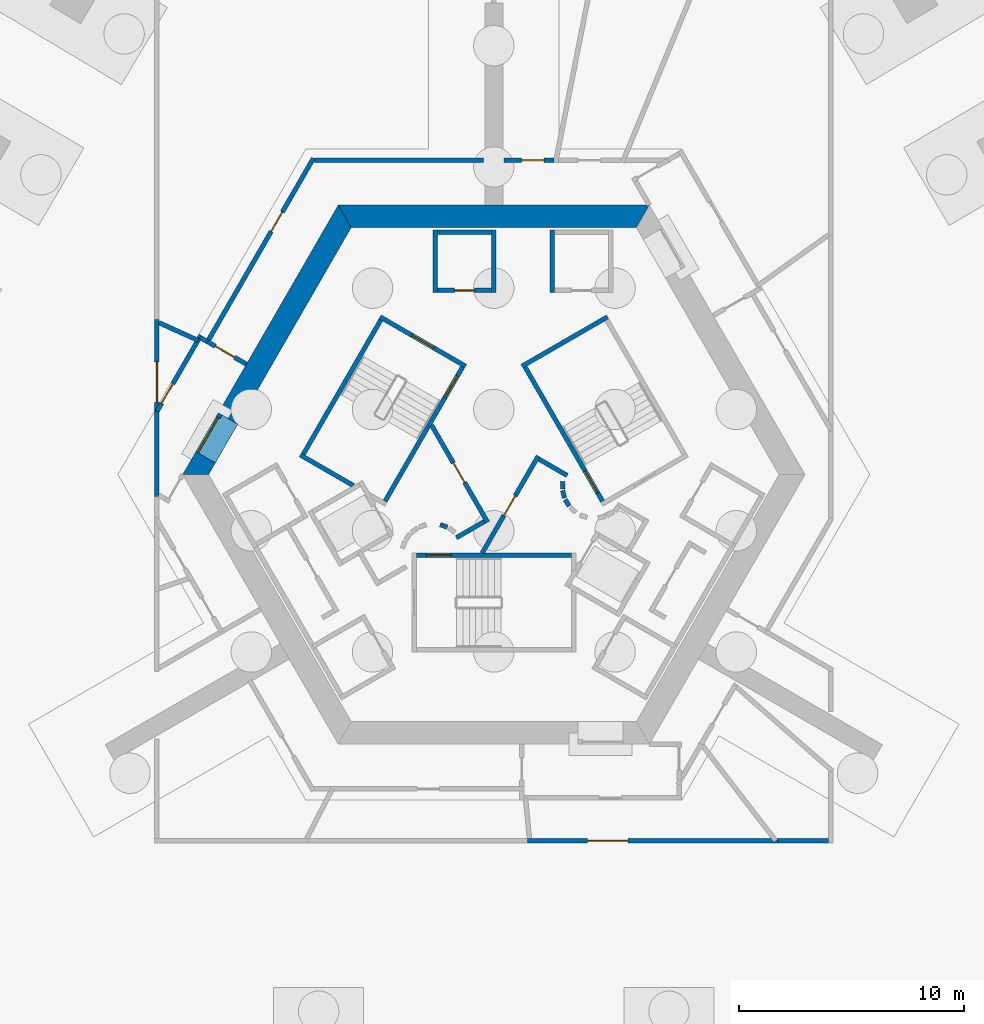
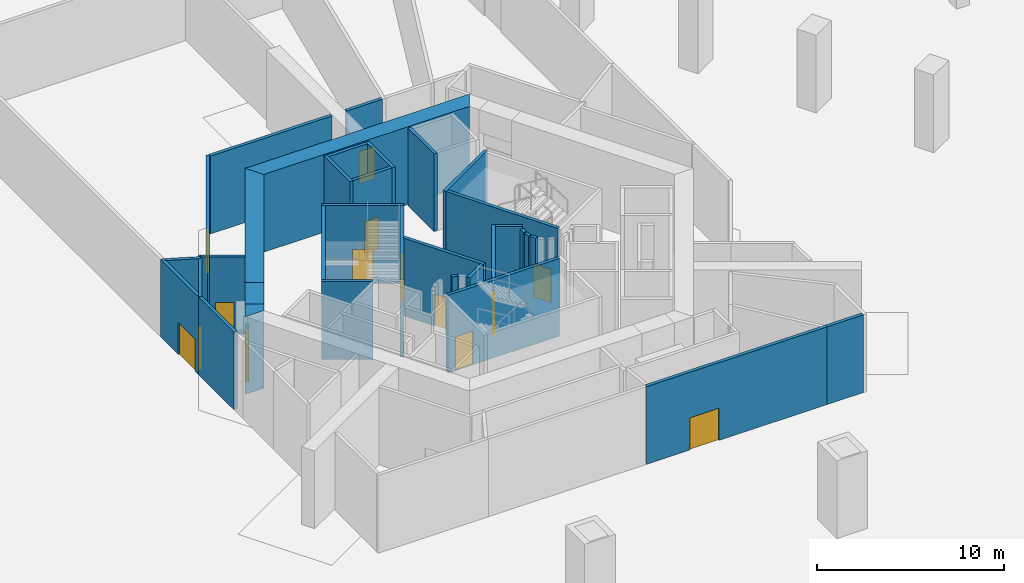
# One storey, part 6 of 14: 36 walls, 14 doors, 14 openings.
"""IFC4 building model written with IfcOpenShell, lengths in metres."""

from ifc_helpers import new_model, si_unit, direction, frame, frame_2d, origin, place, context, subcontext, project, spatial, polyline, rectangle, outline, extrude, material, layer, layer_set, type_object, element, fill, save


model = new_model("IFC4")

# Units and contexts
model_context = context("Model", 3, precision=1e-05, world=origin(), true_north=direction((0.0, 1.0)))
body_context = subcontext(model_context, "Body", "Model", "MODEL_VIEW")
ifc_project = project(units=[si_unit("LENGTHUNIT", "METRE"), si_unit("AREAUNIT", "SQUARE_METRE"), si_unit("VOLUMEUNIT", "CUBIC_METRE"), si_unit("PLANEANGLEUNIT", "RADIAN"), si_unit("MASSUNIT", "GRAM", prefix="KILO")], contexts=[model_context])

# Site, building, storey
site_placement = place(None, origin())
site = spatial("IfcSite", under=ifc_project, at=site_placement, CompositionType="ELEMENT")
building_placement = place(site_placement, origin())
building = spatial("IfcBuilding", under=site, at=building_placement, Name="Entoto Arch Interchange Tower", CompositionType="ELEMENT")
storey_placement = place(building_placement, frame((0.0, 0.0, -16.5)))
storey = spatial("IfcBuildingStorey", under=building, at=storey_placement, Name="B3", CompositionType="ELEMENT", Elevation=-16.5)

# Wall, opening, door
ifc_material_1 = material(Name="Reinforced concrete C40/50", Category="concrete")
ifc_layer_1 = layer(ifc_material_1, 0.199951171875)
ifc_layer_set_1 = layer_set([ifc_layer_1], Name="Reinforced concrete C40/50")
wall_type_1 = type_object("IfcWallType", Name="CORE GAP INFILL WALL", PredefinedType="PARTITIONING", material=ifc_layer_set_1)
wall_1_placement = place(storey_placement, frame((-12.179931640625, 5.201904296875, 0.0), z_axis=(0.0, 0.0, 1.0), x_axis=(-0.50002537861, -0.866010750942, 0.0)))
wall_1 = element("IfcWall", 1, at=wall_1_placement, inside=storey, type_object=wall_type_1, Name="wall:B3:gap3", PredefinedType="PARTITIONING", context=body_context, shape_type="SweptSolid", body=[
    extrude(rectangle(XDim=2.0, YDim=0.199951171875, at=frame_2d((1.0, 0.0))), origin(), (0.0, 0.0, 1.0), 2.39990234375),
])
opening_1_placement = place(wall_1_placement, frame((0.18994140625, 0.0, 0.0)))
opening_1 = element("IfcOpeningElement", 2, at=opening_1_placement, cuts=wall_1, Name="Opening B3-D93", PredefinedType="OPENING", context=body_context, shape_type="SweptSolid", body=[
    extrude(rectangle(XDim=1.800048828125, YDim=2.10009765625, at=frame_2d((0.89990234375, 1.050048828125))), frame((0.0, 0.10986328125, 0.0), z_axis=(0.0, -1.0, 0.0), x_axis=(1.0, 0.0, 0.0)), (0.0, 0.0, 1.0), 0.219970703125),
])
ifc_material_2 = material(Name="Fire-rated Steel S235 door and frame", Category="steel")
door_type_1 = type_object("IfcDoorType", Name="DOOR FD-18 1800x2100", OperationType="DOUBLE_DOOR_SINGLE_SWING", PredefinedType="DOOR", material=ifc_material_2)
door_1_placement = place(opening_1_placement, origin())
door_1 = element("IfcDoor", 3, at=door_1_placement, inside=storey, type_object=door_type_1, Name="door:B3:gap3", OperationType="DOUBLE_DOOR_SINGLE_SWING", OverallHeight=2.10009765625, OverallWidth=1.800048828125, PredefinedType="DOOR", context=body_context, shape_type="SweptSolid", body=[
    extrude(rectangle(XDim=1.800048828125, YDim=2.10009765625, at=frame_2d((0.89990234375, 1.050048828125))), frame((0.0, 0.02490234375, 0.0), z_axis=(0.0, -1.0, 0.0), x_axis=(1.0, 0.0, 0.0)), (0.0, 0.0, 1.0), 0.050048828125),
])
fill(opening_1, door_1)

# Walls
ifc_material_3 = material(Name="Concrete C60/75", Category="concrete")
ifc_layer_2 = layer(ifc_material_3, 1.0)
ifc_layer_set_2 = layer_set([ifc_layer_2], Name="Concrete C60/75")
wall_type_2 = type_object("IfcWallType", Name="Core wall 1000 C60/75", PredefinedType="SHEAR", material=ifc_layer_set_2)
wall_2_placement = place(storey_placement, origin())
element("IfcWall", 4, at=wall_2_placement, inside=storey, type_object=wall_type_2, Name="Core wall N B3", PredefinedType="SHEAR", context=body_context, shape_type="SweptSolid", body=[
    extrude(outline(polyline([(6.927978515625, 14.5), (-6.927978515625, 14.5), (-6.35107421875, 13.5), (6.35107421875, 13.5), (6.927978515625, 14.5)])), origin(), (0.0, 0.0, 1.0), 5.080078125),
])
wall_3_placement = place(storey_placement, origin())
element("IfcWall", 5, at=wall_3_placement, inside=storey, type_object=wall_type_2, Name="Core wall NW B3", PredefinedType="SHEAR", context=body_context, shape_type="SweptSolid", body=[
    extrude(outline(polyline([(-12.26708984375, 5.251953125), (-11.402099609375, 4.751953125), (-6.35107421875, 13.5), (-6.927978515625, 14.5), (-12.26708984375, 5.251953125)])), origin(), (0.0, 0.0, 1.0), 5.080078125),
])
wall_4_placement = place(storey_placement, origin())
element("IfcWall", 6, at=wall_4_placement, inside=storey, type_object=wall_type_2, Name="Core wall NW B3", PredefinedType="SHEAR", context=body_context, shape_type="SweptSolid", body=[
    extrude(outline(polyline([(-12.402099609375, 3.02001953125), (-13.26708984375, 3.52001953125), (-13.85595703125, 2.5), (-12.701904296875, 2.5), (-12.402099609375, 3.02001953125)])), origin(), (0.0, 0.0, 1.0), 5.080078125),
])
wall_5_placement = place(storey_placement, frame((0.0, 0.0, 3.60009765625)))
element("IfcWall", 7, at=wall_5_placement, inside=storey, type_object=wall_type_2, Name="Core wall lintel NW B3", PredefinedType="SHEAR", context=body_context, shape_type="SweptSolid", body=[
    extrude(outline(polyline([(-13.26708984375, 3.52001953125), (-12.402099609375, 3.02001953125), (-11.402099609375, 4.751953125), (-12.26708984375, 5.251953125), (-13.26708984375, 3.52001953125)])), origin(), (0.0, 0.0, 1.0), 1.47998046875),
])

# Wall, opening, door
ifc_material_4 = material(Name="Gypsum board partition on steel studs", Category="steel")
ifc_layer_3 = layer(ifc_material_4, 0.199951171875)
ifc_layer_set_3 = layer_set([ifc_layer_3], Name="Gypsum board partition on steel studs")
wall_type_3 = type_object("IfcWallType", Name="PARTITION 200", PredefinedType="PARTITIONING", material=ifc_layer_set_3)
wall_6_placement = place(storey_placement, frame((12.65087890625, -13.800048828125, 0.0), z_axis=(0.0, 0.0, 1.0), x_axis=(-1.0, 0.0, 0.0)))
wall_6 = element("IfcWall", 8, at=wall_6_placement, inside=storey, type_object=wall_type_3, Name="wall:B3:p016", PredefinedType="PARTITIONING", context=body_context, shape_type="SweptSolid", body=[
    extrude(rectangle(XDim=11.15380859375, YDim=0.199951171875, at=frame_2d((5.576904296875, 0.0))), origin(), (0.0, 0.0, 1.0), 5.080078125),
])
opening_2_placement = place(wall_6_placement, frame((6.675048828125, 0.0, 0.0)))
opening_2 = element("IfcOpeningElement", 9, at=opening_2_placement, cuts=wall_6, Name="Opening B3-D20", PredefinedType="OPENING", context=body_context, shape_type="SweptSolid", body=[
    extrude(rectangle(XDim=1.800048828125, YDim=2.10009765625, at=frame_2d((0.89990234375, 1.050048828125))), frame((0.0, 0.10986328125, 0.0), z_axis=(0.0, -1.0, 0.0), x_axis=(1.0, 0.0, 0.0)), (0.0, 0.0, 1.0), 0.219970703125),
])
ifc_material_5 = material(Name="Timber door leaf in Steel S235 frame", Category="steel")
door_type_2 = type_object("IfcDoorType", Name="DOOR DD-18 1800x2100", OperationType="DOUBLE_DOOR_SINGLE_SWING", PredefinedType="DOOR", material=ifc_material_5)
door_2_placement = place(opening_2_placement, origin())
door_2 = element("IfcDoor", 10, at=door_2_placement, inside=storey, type_object=door_type_2, Name="door:B3:20", OperationType="DOUBLE_DOOR_SINGLE_SWING", OverallHeight=2.10009765625, OverallWidth=1.800048828125, PredefinedType="DOOR", context=body_context, shape_type="SweptSolid", body=[
    extrude(rectangle(XDim=1.800048828125, YDim=2.10009765625, at=frame_2d((0.89990234375, 1.050048828125))), frame((0.0, 0.02490234375, 0.0), z_axis=(0.0, -1.0, 0.0), x_axis=(1.0, 0.0, 0.0)), (0.0, 0.0, 1.0), 0.050048828125),
])
fill(opening_2, door_2)

# Wall
wall_7_placement = place(storey_placement, frame((14.89990234375, -13.800048828125, 0.0), z_axis=(0.0, 0.0, 1.0), x_axis=(-1.0, 0.0, 0.0)))
element("IfcWall", 11, at=wall_7_placement, inside=storey, type_object=wall_type_3, Name="wall:B3:p022", PredefinedType="PARTITIONING", context=body_context, shape_type="SweptSolid", body=[
    extrude(rectangle(XDim=2.2490234375, YDim=0.199951171875, at=frame_2d((1.12451171875, 0.0))), origin(), (0.0, 0.0, 1.0), 5.080078125),
])

# Wall, opening, door
wall_8_placement = place(storey_placement, frame((0.449951171875, 16.5, 0.0), z_axis=(0.0, 0.0, 1.0), x_axis=(1.0, 0.0, 0.0)))
wall_8 = element("IfcWall", 12, at=wall_8_placement, inside=storey, type_object=wall_type_3, Name="wall:B3:p039", PredefinedType="PARTITIONING", context=body_context, shape_type="SweptSolid", body=[
    extrude(rectangle(XDim=2.22216796875, YDim=0.199951171875, at=frame_2d((1.111083984375, 0.0))), origin(), (0.0, 0.0, 1.0), 5.080078125),
])
opening_3_placement = place(wall_8_placement, frame((0.7919921875, 0.0, 0.0)))
opening_3 = element("IfcOpeningElement", 13, at=opening_3_placement, cuts=wall_8, Name="Opening B3-D12", PredefinedType="OPENING", context=body_context, shape_type="SweptSolid", body=[
    extrude(rectangle(XDim=1.0, YDim=2.10009765625, at=frame_2d((0.5, 1.050048828125))), frame((0.0, 0.10986328125, 0.0), z_axis=(0.0, -1.0, 0.0), x_axis=(1.0, 0.0, 0.0)), (0.0, 0.0, 1.0), 0.219970703125),
])
door_type_3 = type_object("IfcDoorType", Name="DOOR FD-10 1000x2100", OperationType="SINGLE_SWING_LEFT", PredefinedType="DOOR", material=ifc_material_2)
door_3_placement = place(opening_3_placement, origin())
door_3 = element("IfcDoor", 14, at=door_3_placement, inside=storey, type_object=door_type_3, Name="door:B3:12", OperationType="SINGLE_SWING_RIGHT", OverallHeight=2.10009765625, OverallWidth=1.0, PredefinedType="DOOR", context=body_context, shape_type="SweptSolid", body=[
    extrude(rectangle(XDim=1.0, YDim=2.10009765625, at=frame_2d((0.5, 1.050048828125))), frame((0.0, 0.02490234375, 0.0), z_axis=(0.0, -1.0, 0.0), x_axis=(1.0, 0.0, 0.0)), (0.0, 0.0, 1.0), 0.050048828125),
])
fill(opening_3, door_3)

wall_9_placement = place(storey_placement, frame((-12.7490234375, 8.4169921875, 0.0), z_axis=(0.0, 0.0, 1.0), x_axis=(0.866010750942, -0.50002537861, 0.0)))
wall_9 = element("IfcWall", 15, at=wall_9_placement, inside=storey, type_object=wall_type_3, Name="wall:B3:p049", PredefinedType="PARTITIONING", context=body_context, shape_type="SweptSolid", body=[
    extrude(rectangle(XDim=2.0, YDim=0.199951171875, at=frame_2d((1.0, 0.0))), origin(), (0.0, 0.0, 1.0), 5.080078125),
])
opening_4_placement = place(wall_9_placement, frame((0.39990234375, 0.0, 0.0)))
opening_4 = element("IfcOpeningElement", 16, at=opening_4_placement, cuts=wall_9, Name="Opening B3-D13", PredefinedType="OPENING", context=body_context, shape_type="SweptSolid", body=[
    extrude(rectangle(XDim=1.0, YDim=2.10009765625, at=frame_2d((0.5, 1.050048828125))), frame((0.0, 0.10986328125, 0.0), z_axis=(0.0, -1.0, 0.0), x_axis=(1.0, 0.0, 0.0)), (0.0, 0.0, 1.0), 0.219970703125),
])
door_4_placement = place(opening_4_placement, origin())
door_4 = element("IfcDoor", 17, at=door_4_placement, inside=storey, type_object=door_type_3, Name="door:B3:13", OperationType="SINGLE_SWING_LEFT", OverallHeight=2.10009765625, OverallWidth=1.0, PredefinedType="DOOR", context=body_context, shape_type="SweptSolid", body=[
    extrude(rectangle(XDim=1.0, YDim=2.10009765625, at=frame_2d((0.5, 1.050048828125))), frame((0.0, 0.02490234375, 0.0), z_axis=(0.0, -1.0, 0.0), x_axis=(1.0, 0.0, 0.0)), (0.0, 0.0, 1.0), 0.050048828125),
])
fill(opening_4, door_4)

wall_10_placement = place(storey_placement, frame((-15.0, 5.318115234375, 0.0), z_axis=(0.0, 0.0, 1.0), x_axis=(0.500034145141, 0.866005689181, 0.0)))
wall_10 = element("IfcWall", 18, at=wall_10_placement, inside=storey, type_object=wall_type_3, Name="wall:B3:p052", PredefinedType="PARTITIONING", context=body_context, shape_type="SweptSolid", body=[
    extrude(rectangle(XDim=3.909912109375, YDim=0.199951171875, at=frame_2d((1.955078125, 0.0))), origin(), (0.0, 0.0, 1.0), 5.080078125),
])
opening_5_placement = place(wall_10_placement, frame((0.41796875, 0.0, 0.0)))
opening_5 = element("IfcOpeningElement", 19, at=opening_5_placement, cuts=wall_10, Name="Opening B3-D15", PredefinedType="OPENING", context=body_context, shape_type="SweptSolid", body=[
    extrude(rectangle(XDim=1.0, YDim=2.10009765625, at=frame_2d((0.5, 1.050048828125))), frame((0.0, 0.10986328125, 0.0), z_axis=(0.0, -1.0, 0.0), x_axis=(1.0, 0.0, 0.0)), (0.0, 0.0, 1.0), 0.219970703125),
])
door_5_placement = place(opening_5_placement, origin())
door_5 = element("IfcDoor", 20, at=door_5_placement, inside=storey, type_object=door_type_3, Name="door:B3:15", OperationType="SINGLE_SWING_LEFT", OverallHeight=2.10009765625, OverallWidth=1.0, PredefinedType="DOOR", context=body_context, shape_type="SweptSolid", body=[
    extrude(rectangle(XDim=1.0, YDim=2.10009765625, at=frame_2d((0.5, 1.050048828125))), frame((0.0, 0.02490234375, 0.0), z_axis=(0.0, -1.0, 0.0), x_axis=(1.0, 0.0, 0.0)), (0.0, 0.0, 1.0), 0.050048828125),
])
fill(opening_5, door_5)

# Walls
wall_11_placement = place(storey_placement, frame((-13.08203125, 8.60888671875, 0.0), z_axis=(0.0, 0.0, 1.0), x_axis=(0.865998573537, -0.500046468473, 0.0)))
element("IfcWall", 21, at=wall_11_placement, inside=storey, type_object=wall_type_3, Name="wall:B3:p053", PredefinedType="PARTITIONING", context=body_context, shape_type="SweptSolid", body=[
    extrude(rectangle(XDim=0.36962890625, YDim=0.199951171875, at=frame_2d((0.184814453125, 0.0))), origin(), (0.0, 0.0, 1.0), 5.080078125),
])
wall_12_placement = place(storey_placement, frame((-15.0, 1.533935546875, 0.0), z_axis=(0.0, 0.0, 1.0), x_axis=(0.0, 1.0, 0.0)))
element("IfcWall", 22, at=wall_12_placement, inside=storey, type_object=wall_type_3, Name="wall:B3:p054", PredefinedType="PARTITIONING", context=body_context, shape_type="SweptSolid", body=[
    extrude(rectangle(XDim=3.7841796875, YDim=0.199951171875, at=frame_2d((1.89208984375, 0.0))), origin(), (0.0, 0.0, 1.0), 5.080078125),
])

# Wall, opening, door
wall_13_placement = place(storey_placement, frame((-12.799072265625, 8.330078125, 0.0), z_axis=(0.0, 0.0, 1.0), x_axis=(0.499923440311, 0.86606960103, 0.0)))
wall_13 = element("IfcWall", 23, at=wall_13_placement, inside=storey, type_object=wall_type_3, Name="wall:B3:p055", PredefinedType="PARTITIONING", context=body_context, shape_type="SweptSolid", body=[
    extrude(rectangle(XDim=9.53369140625, YDim=0.199951171875, at=frame_2d((4.766845703125, 0.0))), origin(), (0.0, 0.0, 1.0), 5.080078125),
])
opening_6_placement = place(wall_13_placement, frame((5.76611328125, 0.0, 0.0)))
opening_6 = element("IfcOpeningElement", 24, at=opening_6_placement, cuts=wall_13, Name="Opening B3-D16", PredefinedType="OPENING", context=body_context, shape_type="SweptSolid", body=[
    extrude(rectangle(XDim=1.0, YDim=2.10009765625, at=frame_2d((0.5, 1.050048828125))), frame((0.0, 0.10986328125, 0.0), z_axis=(0.0, -1.0, 0.0), x_axis=(1.0, 0.0, 0.0)), (0.0, 0.0, 1.0), 0.219970703125),
])
door_6_placement = place(opening_6_placement, origin())
door_6 = element("IfcDoor", 25, at=door_6_placement, inside=storey, type_object=door_type_3, Name="door:B3:16", OperationType="SINGLE_SWING_RIGHT", OverallHeight=2.10009765625, OverallWidth=1.0, PredefinedType="DOOR", context=body_context, shape_type="SweptSolid", body=[
    extrude(rectangle(XDim=1.0, YDim=2.10009765625, at=frame_2d((0.5, 1.050048828125))), frame((0.0, 0.02490234375, 0.0), z_axis=(0.0, -1.0, 0.0), x_axis=(1.0, 0.0, 0.0)), (0.0, 0.0, 1.0), 0.050048828125),
])
fill(opening_6, door_6)

# Walls
wall_14_placement = place(storey_placement, frame((-7.98291015625, 16.5, 0.0), z_axis=(0.0, 0.0, 1.0), x_axis=(1.0, 0.0, 0.0)))
element("IfcWall", 26, at=wall_14_placement, inside=storey, type_object=wall_type_3, Name="wall:B3:p056", PredefinedType="PARTITIONING", context=body_context, shape_type="SweptSolid", body=[
    extrude(rectangle(XDim=7.532958984375, YDim=0.199951171875, at=frame_2d((3.7666015625, 0.0))), origin(), (0.0, 0.0, 1.0), 5.080078125),
])
wall_15_placement = place(storey_placement, frame((-14.908935546875, 9.263916015625, 0.0), z_axis=(0.0, 0.0, 1.0), x_axis=(0.910722060418, -0.41301976789, 0.0)))
element("IfcWall", 27, at=wall_15_placement, inside=storey, type_object=wall_type_3, Name="wall:B3:p061", PredefinedType="PARTITIONING", context=body_context, shape_type="SweptSolid", body=[
    extrude(rectangle(XDim=1.90283203125, YDim=0.199951171875, at=frame_2d((0.951416015625, 0.0))), origin(), (0.0, 0.0, 1.0), 5.080078125),
])

# Wall, opening, door
wall_16_placement = place(storey_placement, frame((-15.0, 5.318115234375, 0.0), z_axis=(0.0, 0.0, 1.0), x_axis=(0.0, 1.0, 0.0)))
wall_16 = element("IfcWall", 28, at=wall_16_placement, inside=storey, type_object=wall_type_3, Name="wall:B3:p062", PredefinedType="PARTITIONING", context=body_context, shape_type="SweptSolid", body=[
    extrude(rectangle(XDim=4.0869140625, YDim=0.199951171875, at=frame_2d((2.04345703125, 0.0))), origin(), (0.0, 0.0, 1.0), 5.080078125),
])
opening_7_placement = place(wall_16_placement, frame((0.39990234375, 0.0, 0.0)))
opening_7 = element("IfcOpeningElement", 29, at=opening_7_placement, cuts=wall_16, Name="Opening B3-D22", PredefinedType="OPENING", context=body_context, shape_type="SweptSolid", body=[
    extrude(rectangle(XDim=1.800048828125, YDim=2.10009765625, at=frame_2d((0.89990234375, 1.050048828125))), frame((0.0, 0.10986328125, 0.0), z_axis=(0.0, -1.0, 0.0), x_axis=(1.0, 0.0, 0.0)), (0.0, 0.0, 1.0), 0.219970703125),
])
door_7_placement = place(opening_7_placement, origin())
door_7 = element("IfcDoor", 30, at=door_7_placement, inside=storey, type_object=door_type_2, Name="door:B3:22", OperationType="DOUBLE_DOOR_SINGLE_SWING", OverallHeight=2.10009765625, OverallWidth=1.800048828125, PredefinedType="DOOR", context=body_context, shape_type="SweptSolid", body=[
    extrude(rectangle(XDim=1.800048828125, YDim=2.10009765625, at=frame_2d((0.89990234375, 1.050048828125))), frame((0.0, 0.02490234375, 0.0), z_axis=(0.0, -1.0, 0.0), x_axis=(1.0, 0.0, 0.0)), (0.0, 0.0, 1.0), 0.050048828125),
])
fill(opening_7, door_7)

# Walls
for number, where, z_axis, x_axis, name in (
    (31, (2.60009765625, 10.60009765625, 0.0), (0.0, 0.0, 1.0), (0.0, 1.0, 0.0), "wall:B3:p071"),
    (32, (0.0, 13.39990234375, 0.0), (0.0, 0.0, 1.0), (0.0, -1.0, 0.0), "wall:B3:p073"),
):
    element("IfcWall", number, at=place(storey_placement, frame(where, z_axis=z_axis, x_axis=x_axis)), inside=storey, type_object=wall_type_3, Name=name, PredefinedType="PARTITIONING", context=body_context, shape_type="SweptSolid", body=[
        extrude(rectangle(XDim=2.7998046875, YDim=0.199951171875, at=frame_2d((1.39990234375, 0.0))), origin(), (0.0, 0.0, 1.0), 5.080078125),
    ])

# Wall, opening, door
wall_17_placement = place(storey_placement, frame((-0.10009765625, 10.699951171875, 0.0), z_axis=(0.0, 0.0, 1.0), x_axis=(-1.0, 0.0, 0.0)))
wall_17 = element("IfcWall", 33, at=wall_17_placement, inside=storey, type_object=wall_type_3, Name="wall:B3:p074", PredefinedType="PARTITIONING", context=body_context, shape_type="SweptSolid", body=[
    extrude(rectangle(XDim=2.39990234375, YDim=0.199951171875, at=frame_2d((1.199951171875, 0.0))), origin(), (0.0, 0.0, 1.0), 5.080078125),
])
opening_8_placement = place(wall_17_placement, frame((0.75, 0.0, 0.0)))
opening_8 = element("IfcOpeningElement", 34, at=opening_8_placement, cuts=wall_17, Name="Opening B3-D26", PredefinedType="OPENING", context=body_context, shape_type="SweptSolid", body=[
    extrude(rectangle(XDim=0.89990234375, YDim=2.10009765625, at=frame_2d((0.449951171875, 1.050048828125))), frame((0.0, 0.10986328125, 0.0), z_axis=(0.0, -1.0, 0.0), x_axis=(1.0, 0.0, 0.0)), (0.0, 0.0, 1.0), 0.219970703125),
])
door_type_4 = type_object("IfcDoorType", Name="DOOR DS-09 900x2100", OperationType="SINGLE_SWING_LEFT", PredefinedType="DOOR", material=ifc_material_5)
door_8_placement = place(opening_8_placement, origin())
door_8 = element("IfcDoor", 35, at=door_8_placement, inside=storey, type_object=door_type_4, Name="door:B3:26", OperationType="SINGLE_SWING_RIGHT", OverallHeight=2.10009765625, OverallWidth=0.89990234375, PredefinedType="DOOR", context=body_context, shape_type="SweptSolid", body=[
    extrude(rectangle(XDim=0.89990234375, YDim=2.10009765625, at=frame_2d((0.449951171875, 1.050048828125))), frame((0.0, 0.02490234375, 0.0), z_axis=(0.0, -1.0, 0.0), x_axis=(1.0, 0.0, 0.0)), (0.0, 0.0, 1.0), 0.050048828125),
])
fill(opening_8, door_8)

# Walls
wall_18_placement = place(storey_placement, frame((-2.60009765625, 10.60009765625, 0.0), z_axis=(0.0, 0.0, 1.0), x_axis=(0.0, 1.0, 0.0)))
element("IfcWall", 36, at=wall_18_placement, inside=storey, type_object=wall_type_3, Name="wall:B3:p075", PredefinedType="PARTITIONING", context=body_context, shape_type="SweptSolid", body=[
    extrude(rectangle(XDim=2.7998046875, YDim=0.199951171875, at=frame_2d((1.39990234375, 0.0))), origin(), (0.0, 0.0, 1.0), 5.080078125),
])
wall_19_placement = place(storey_placement, frame((-2.5, 13.300048828125, 0.0), z_axis=(0.0, 0.0, 1.0), x_axis=(1.0, 0.0, 0.0)))
element("IfcWall", 37, at=wall_19_placement, inside=storey, type_object=wall_type_3, Name="wall:B3:p076", PredefinedType="PARTITIONING", context=body_context, shape_type="SweptSolid", body=[
    extrude(rectangle(XDim=2.39990234375, YDim=0.199951171875, at=frame_2d((1.199951171875, 0.0))), origin(), (0.0, 0.0, 1.0), 5.080078125),
])
wall_20_placement = place(storey_placement, frame((3.0791015625, 2.198974609375, 0.0), z_axis=(0.0, 0.0, 1.0), x_axis=(-0.047771483479, -0.998858290933, 0.0)))
element("IfcWall", 38, at=wall_20_placement, inside=storey, type_object=wall_type_3, Name="wall:B3:p101", PredefinedType="PARTITIONING", context=body_context, shape_type="SweptSolid", body=[
    extrude(rectangle(XDim=0.33740234375, YDim=0.199951171875, at=frame_2d((0.168701171875, 0.0))), origin(), (0.0, 0.0, 1.0), 5.080078125),
])
wall_21_placement = place(storey_placement, frame((3.070068359375, 1.785888671875, 0.0), z_axis=(0.0, 0.0, 1.0), x_axis=(0.242705583207, -0.970099994784, 0.0)))
element("IfcWall", 39, at=wall_21_placement, inside=storey, type_object=wall_type_3, Name="wall:B3:p102", PredefinedType="PARTITIONING", context=body_context, shape_type="SweptSolid", body=[
    extrude(rectangle(XDim=0.337890625, YDim=0.199951171875, at=frame_2d((0.1689453125, 0.0))), origin(), (0.0, 0.0, 1.0), 5.080078125),
])
wall_22_placement = place(storey_placement, frame((3.181884765625, 1.387939453125, 0.0), z_axis=(0.0, 0.0, 1.0), x_axis=(0.512474702713, -0.85870232274, 0.0)))
element("IfcWall", 40, at=wall_22_placement, inside=storey, type_object=wall_type_3, Name="wall:B3:p103", PredefinedType="PARTITIONING", context=body_context, shape_type="SweptSolid", body=[
    extrude(rectangle(XDim=0.337646484375, YDim=0.199951171875, at=frame_2d((0.1689453125, 0.0))), origin(), (0.0, 0.0, 1.0), 5.080078125),
])

# Wall, opening, door
wall_23_placement = place(storey_placement, frame((-0.52001953125, -1.0, 0.0), z_axis=(0.0, 0.0, 1.0), x_axis=(0.50011622646, 0.865958290007, 0.0)))
wall_23 = element("IfcWall", 41, at=wall_23_placement, inside=storey, type_object=wall_type_3, Name="wall:B3:p111", PredefinedType="PARTITIONING", context=body_context, shape_type="SweptSolid", body=[
    extrude(rectangle(XDim=4.990966796875, YDim=0.199951171875, at=frame_2d((2.49560546875, 0.0))), origin(), (0.0, 0.0, 1.0), 5.080078125),
])
opening_9_placement = place(wall_23_placement, frame((1.945068359375, 0.0, 0.0)))
opening_9 = element("IfcOpeningElement", 42, at=opening_9_placement, cuts=wall_23, Name="Opening B3-D23", PredefinedType="OPENING", context=body_context, shape_type="SweptSolid", body=[
    extrude(rectangle(XDim=1.0, YDim=2.10009765625, at=frame_2d((0.5, 1.050048828125))), frame((0.0, 0.10986328125, 0.0), z_axis=(0.0, -1.0, 0.0), x_axis=(1.0, 0.0, 0.0)), (0.0, 0.0, 1.0), 0.219970703125),
])
door_9_placement = place(opening_9_placement, origin())
door_9 = element("IfcDoor", 43, at=door_9_placement, inside=storey, type_object=door_type_3, Name="door:B3:23", OperationType="SINGLE_SWING_LEFT", OverallHeight=2.10009765625, OverallWidth=1.0, PredefinedType="DOOR", context=body_context, shape_type="SweptSolid", body=[
    extrude(rectangle(XDim=1.0, YDim=2.10009765625, at=frame_2d((0.5, 1.050048828125))), frame((0.0, 0.02490234375, 0.0), z_axis=(0.0, -1.0, 0.0), x_axis=(1.0, 0.0, 0.0)), (0.0, 0.0, 1.0), 0.050048828125),
])
fill(opening_9, door_9)

# Walls
wall_24_placement = place(storey_placement, frame((2.011962890625, 3.18603515625, 0.0), z_axis=(0.0, 0.0, 1.0), x_axis=(0.865891012941, -0.500232699559, 0.0)))
element("IfcWall", 44, at=wall_24_placement, inside=storey, type_object=wall_type_3, Name="wall:B3:p112", PredefinedType="PARTITIONING", context=body_context, shape_type="SweptSolid", body=[
    extrude(rectangle(XDim=1.449462890625, YDim=0.199951171875, at=frame_2d((0.724609375, 0.0))), origin(), (0.0, 0.0, 1.0), 5.080078125),
])
wall_25_placement = place(storey_placement, frame((-0.412109375, 0.4140625, 0.0), z_axis=(0.0, 0.0, 1.0), x_axis=(-0.866017369001, -0.500013916395, 0.0)))
element("IfcWall", 45, at=wall_25_placement, inside=storey, type_object=wall_type_3, Name="wall:B3:p113", PredefinedType="PARTITIONING", context=body_context, shape_type="SweptSolid", body=[
    extrude(rectangle(XDim=1.4501953125, YDim=0.199951171875, at=frame_2d((0.72509765625, 0.0))), origin(), (0.0, 0.0, 1.0), 5.080078125),
])
wall_26_placement = place(storey_placement, frame((-2.070068359375, 0.159912109375, 0.0), z_axis=(0.0, 0.0, 1.0), x_axis=(-0.942199461132, 0.335052496547, 0.0)))
element("IfcWall", 46, at=wall_26_placement, inside=storey, type_object=wall_type_3, Name="wall:B3:p115", PredefinedType="PARTITIONING", context=body_context, shape_type="SweptSolid", body=[
    extrude(rectangle(XDim=0.33740234375, YDim=0.199951171875, at=frame_2d((0.168701171875, 0.0))), origin(), (0.0, 0.0, 1.0), 5.080078125),
])

# Wall, opening, door
wall_27_placement = place(storey_placement, frame((-2.77099609375, 4.699951171875, 0.0), z_axis=(0.0, 0.0, 1.0), x_axis=(0.499969479948, -0.866043023828, 0.0)))
wall_27 = element("IfcWall", 47, at=wall_27_placement, inside=storey, type_object=wall_type_3, Name="wall:B3:p122", PredefinedType="PARTITIONING", context=body_context, shape_type="SweptSolid", body=[
    extrude(rectangle(XDim=4.990478515625, YDim=0.199951171875, at=frame_2d((2.4951171875, 0.0))), origin(), (0.0, 0.0, 1.0), 5.080078125),
])
opening_10_placement = place(wall_27_placement, frame((1.945068359375, 0.0, 0.0)))
opening_10 = element("IfcOpeningElement", 48, at=opening_10_placement, cuts=wall_27, Name="Opening B3-D24", PredefinedType="OPENING", context=body_context, shape_type="SweptSolid", body=[
    extrude(rectangle(XDim=1.0, YDim=2.10009765625, at=frame_2d((0.5, 1.050048828125))), frame((0.0, 0.10986328125, 0.0), z_axis=(0.0, -1.0, 0.0), x_axis=(1.0, 0.0, 0.0)), (0.0, 0.0, 1.0), 0.219970703125),
])
door_10_placement = place(opening_10_placement, origin())
door_10 = element("IfcDoor", 49, at=door_10_placement, inside=storey, type_object=door_type_3, Name="door:B3:24", OperationType="SINGLE_SWING_RIGHT", OverallHeight=2.10009765625, OverallWidth=1.0, PredefinedType="DOOR", context=body_context, shape_type="SweptSolid", body=[
    extrude(rectangle(XDim=1.0, YDim=2.10009765625, at=frame_2d((0.5, 1.050048828125))), frame((0.0, 0.02490234375, 0.0), z_axis=(0.0, -1.0, 0.0), x_axis=(1.0, 0.0, 0.0)), (0.0, 0.0, 1.0), 0.050048828125),
])
fill(opening_10, door_10)

ifc_material_6 = material(Name="Concrete C40/50", Category="concrete")
ifc_layer_4 = layer(ifc_material_6, 0.199951171875)
ifc_layer_set_4 = layer_set([ifc_layer_4], Name="Concrete C40/50")
wall_type_4 = type_object("IfcWallType", Name="STAIR ENCLOSURE WALL 200", PredefinedType="STANDARD", material=ifc_layer_set_4)
wall_28_placement = place(storey_placement, frame((-3.449951171875, -1.10009765625, 0.0), z_axis=(0.0, 0.0, 1.0), x_axis=(1.0, 0.0, 0.0)))
wall_28 = element("IfcWall", 50, at=wall_28_placement, inside=storey, type_object=wall_type_4, Name="Stair wall ST-S hall", PredefinedType="STANDARD", context=body_context, shape_type="SweptSolid", body=[
    extrude(rectangle(XDim=6.89990234375, YDim=0.199951171875, at=frame_2d((3.449951171875, 0.0))), origin(), (0.0, 0.0, 1.0), 5.080078125),
])
opening_11_placement = place(wall_28_placement, frame((0.449951171875, 0.0, 0.0)))
opening_11 = element("IfcOpeningElement", 51, at=opening_11_placement, cuts=wall_28, Name="Opening SD-ST-S-B3", PredefinedType="OPENING", context=body_context, shape_type="SweptSolid", body=[
    extrude(rectangle(XDim=1.10009765625, YDim=2.199951171875, at=frame_2d((0.550048828125, 1.10009765625))), frame((0.0, 0.10986328125, 0.0), z_axis=(0.0, -1.0, 0.0), x_axis=(1.0, 0.0, 0.0)), (0.0, 0.0, 1.0), 0.219970703125),
])
ifc_material_7 = material(Name="Steel S235", Category="steel")
door_type_5 = type_object("IfcDoorType", Name="STAIR DOOR SD1 1100x2200", OperationType="SINGLE_SWING_LEFT", PredefinedType="DOOR", material=ifc_material_7)
door_11_placement = place(opening_11_placement, origin())
door_11 = element("IfcDoor", 52, at=door_11_placement, inside=storey, type_object=door_type_5, Name="Stair door ST-S B3", OperationType="SINGLE_SWING_LEFT", OverallHeight=2.199951171875, OverallWidth=1.10009765625, PredefinedType="DOOR", context=body_context, shape_type="SweptSolid", body=[
    extrude(rectangle(XDim=1.10009765625, YDim=2.199951171875, at=frame_2d((0.550048828125, 1.10009765625))), frame((0.0, 0.02490234375, 0.0), z_axis=(0.0, -1.0, 0.0), x_axis=(1.0, 0.0, 0.0)), (0.0, 0.0, 1.0), 0.050048828125),
])
fill(opening_11, door_11)

# Wall
wall_29_placement = place(storey_placement, frame((1.256103515625, 7.323974609375, 0.0), z_axis=(0.0, 0.0, 1.0), x_axis=(0.866046073146, 0.499964197906, 0.0)))
element("IfcWall", 53, at=wall_29_placement, inside=storey, type_object=wall_type_4, Name="Stair wall ST-NE far", PredefinedType="STANDARD", context=body_context, shape_type="SweptSolid", body=[
    extrude(rectangle(XDim=4.400146484375, YDim=0.199951171875, at=frame_2d((2.2001953125, 0.0))), origin(), (0.0, 0.0, 1.0), 5.080078125),
])

# Wall, opening, door
wall_30_placement = place(storey_placement, frame((4.843017578125, 1.31201171875, 0.0), z_axis=(0.0, 0.0, 1.0), x_axis=(-0.499963383562, 0.866046543262, 0.0)))
wall_30 = element("IfcWall", 54, at=wall_30_placement, inside=storey, type_object=wall_type_4, Name="Stair wall ST-NE hall", PredefinedType="STANDARD", context=body_context, shape_type="SweptSolid", body=[
    extrude(rectangle(XDim=6.900390625, YDim=0.199951171875, at=frame_2d((3.4501953125, 0.0))), origin(), (0.0, 0.0, 1.0), 5.080078125),
])
opening_12_placement = place(wall_30_placement, frame((0.449951171875, 0.0, 0.0)))
opening_12 = element("IfcOpeningElement", 55, at=opening_12_placement, cuts=wall_30, Name="Opening SD-ST-NE-B3", PredefinedType="OPENING", context=body_context, shape_type="SweptSolid", body=[
    extrude(rectangle(XDim=1.10009765625, YDim=2.199951171875, at=frame_2d((0.550048828125, 1.10009765625))), frame((0.0, 0.10986328125, 0.0), z_axis=(0.0, -1.0, 0.0), x_axis=(1.0, 0.0, 0.0)), (0.0, 0.0, 1.0), 0.219970703125),
])
door_12_placement = place(opening_12_placement, origin())
door_12 = element("IfcDoor", 56, at=door_12_placement, inside=storey, type_object=door_type_5, Name="Stair door ST-NE B3", OperationType="SINGLE_SWING_LEFT", OverallHeight=2.199951171875, OverallWidth=1.10009765625, PredefinedType="DOOR", context=body_context, shape_type="SweptSolid", body=[
    extrude(rectangle(XDim=1.10009765625, YDim=2.199951171875, at=frame_2d((0.550048828125, 1.10009765625))), frame((0.0, 0.02490234375, 0.0), z_axis=(0.0, -1.0, 0.0), x_axis=(1.0, 0.0, 0.0)), (0.0, 0.0, 1.0), 0.050048828125),
])
fill(opening_12, door_12)

wall_31_placement = place(storey_placement, frame((-1.256103515625, 7.323974609375, 0.0), z_axis=(0.0, 0.0, 1.0), x_axis=(-0.866046073146, 0.499964197906, 0.0)))
wall_31 = element("IfcWall", 57, at=wall_31_placement, inside=storey, type_object=wall_type_4, Name="Stair wall ST-NW near", PredefinedType="STANDARD", context=body_context, shape_type="SweptSolid", body=[
    extrude(rectangle(XDim=4.400146484375, YDim=0.199951171875, at=frame_2d((2.2001953125, 0.0))), origin(), (0.0, 0.0, 1.0), 5.080078125),
])
opening_13_placement = place(wall_31_placement, frame((1.64990234375, 0.0, 0.0)))
opening_13 = element("IfcOpeningElement", 58, at=opening_13_placement, cuts=wall_31, Name="Opening SD-ST-NW-B3-E", PredefinedType="OPENING", context=body_context, shape_type="SweptSolid", body=[
    extrude(rectangle(XDim=1.10009765625, YDim=2.199951171875, at=frame_2d((0.550048828125, 1.10009765625))), frame((0.0, 0.10986328125, 0.0), z_axis=(0.0, -1.0, 0.0), x_axis=(1.0, 0.0, 0.0)), (0.0, 0.0, 1.0), 0.219970703125),
])
door_13_placement = place(opening_13_placement, origin())
door_13 = element("IfcDoor", 59, at=door_13_placement, inside=storey, type_object=door_type_5, Name="Stair door ST-NW B3 end", OperationType="SINGLE_SWING_LEFT", OverallHeight=2.199951171875, OverallWidth=1.10009765625, PredefinedType="DOOR", context=body_context, shape_type="SweptSolid", body=[
    extrude(rectangle(XDim=1.10009765625, YDim=2.199951171875, at=frame_2d((0.550048828125, 1.10009765625))), frame((0.0, 0.02490234375, 0.0), z_axis=(0.0, -1.0, 0.0), x_axis=(1.0, 0.0, 0.0)), (0.0, 0.0, 1.0), 0.050048828125),
])
fill(opening_13, door_13)

# Wall
wall_32_placement = place(storey_placement, frame((-6.25, 2.010009765625, 0.0), z_axis=(0.0, 0.0, 1.0), x_axis=(-0.86611865017, 0.499838457731, 0.0)))
element("IfcWall", 60, at=wall_32_placement, inside=storey, type_object=wall_type_4, Name="Stair wall ST-NW far", PredefinedType="STANDARD", context=body_context, shape_type="SweptSolid", body=[
    extrude(rectangle(XDim=2.73291015625, YDim=0.199951171875, at=frame_2d((1.366455078125, 0.0))), origin(), (0.0, 0.0, 1.0), 5.080078125),
])

# Wall, opening, door
wall_33_placement = place(storey_placement, frame((-1.39306640625, 7.2880859375, 0.0), z_axis=(0.0, 0.0, 1.0), x_axis=(-0.499963383562, -0.866046543262, 0.0)))
wall_33 = element("IfcWall", 61, at=wall_33_placement, inside=storey, type_object=wall_type_4, Name="Stair wall ST-NW hall", PredefinedType="STANDARD", context=body_context, shape_type="SweptSolid", body=[
    extrude(rectangle(XDim=6.900390625, YDim=0.199951171875, at=frame_2d((3.4501953125, 0.0))), origin(), (0.0, 0.0, 1.0), 5.080078125),
])
opening_14_placement = place(wall_33_placement, frame((0.449951171875, 0.0, 0.0)))
opening_14 = element("IfcOpeningElement", 62, at=opening_14_placement, cuts=wall_33, Name="Opening SD-ST-NW-B3", PredefinedType="OPENING", context=body_context, shape_type="SweptSolid", body=[
    extrude(rectangle(XDim=1.10009765625, YDim=2.199951171875, at=frame_2d((0.550048828125, 1.10009765625))), frame((0.0, 0.10986328125, 0.0), z_axis=(0.0, -1.0, 0.0), x_axis=(1.0, 0.0, 0.0)), (0.0, 0.0, 1.0), 0.219970703125),
])
door_14_placement = place(opening_14_placement, origin())
door_14 = element("IfcDoor", 63, at=door_14_placement, inside=storey, type_object=door_type_5, Name="Stair door ST-NW B3", OperationType="SINGLE_SWING_LEFT", OverallHeight=2.199951171875, OverallWidth=1.10009765625, PredefinedType="DOOR", context=body_context, shape_type="SweptSolid", body=[
    extrude(rectangle(XDim=1.10009765625, YDim=2.199951171875, at=frame_2d((0.550048828125, 1.10009765625))), frame((0.0, 0.02490234375, 0.0), z_axis=(0.0, -1.0, 0.0), x_axis=(1.0, 0.0, 0.0)), (0.0, 0.0, 1.0), 0.050048828125),
])
fill(opening_14, door_14)

# Wall
wall_34_placement = place(storey_placement, frame((-5.030029296875, 9.387939453125, 0.0), z_axis=(0.0, 0.0, 1.0), x_axis=(-0.499978703459, -0.866037698999, 0.0)))
element("IfcWall", 64, at=wall_34_placement, inside=storey, type_object=wall_type_4, Name="Stair wall ST-NW back", PredefinedType="STANDARD", context=body_context, shape_type="SweptSolid", body=[
    extrude(rectangle(XDim=6.900146484375, YDim=0.199951171875, at=frame_2d((3.4501953125, 0.0))), origin(), (0.0, 0.0, 1.0), 5.080078125),
])

save(model, "model.ifc")
